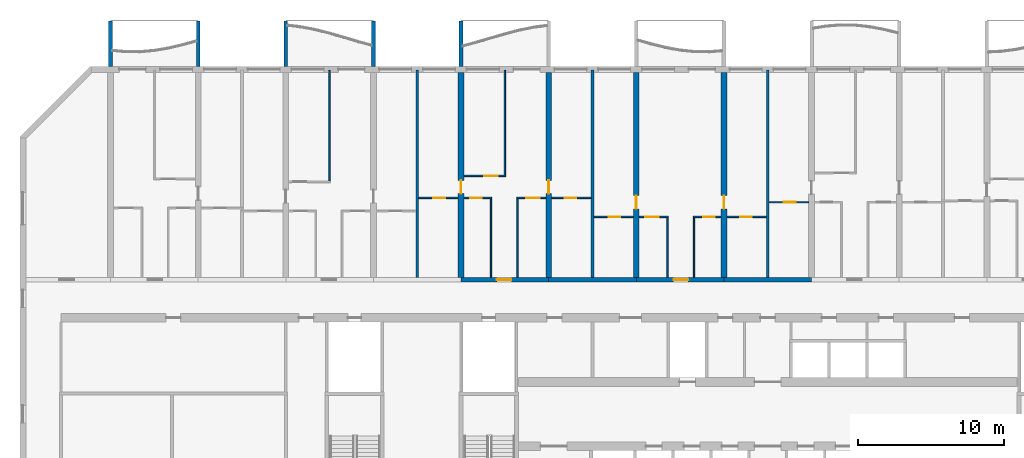
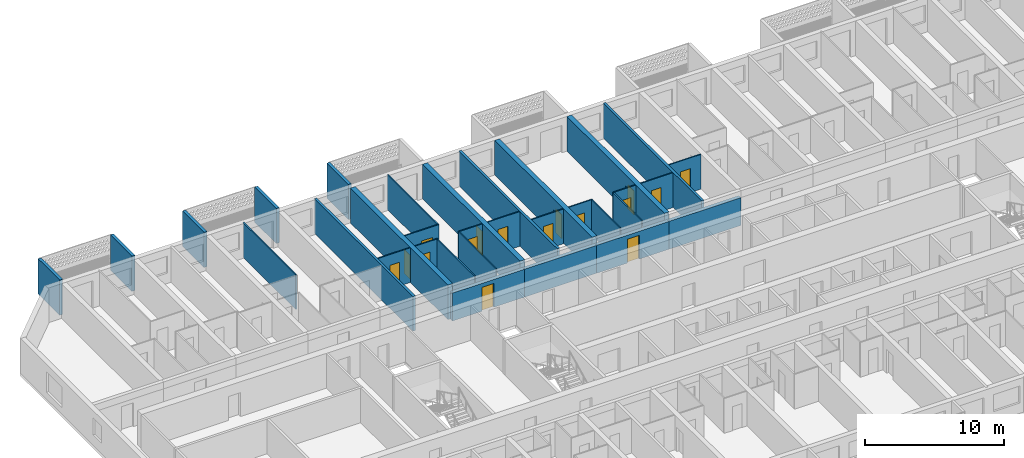
# One storey, part 11 of 38: 32 walls, 16 doors, 16 openings.
"""IFC4 building model written with IfcOpenShell, lengths in metres."""

from ifc_helpers import new_model, si_unit, direction, frame, frame_2d, origin, place, context, subcontext, project, spatial, polyline, rectangle, outline, extrude, source, transform, mapped, material, layer, layer_set, type_object, element, fill, save


model = new_model("IFC4")

# Units and contexts
model_context = context("Model", 3, precision=1e-05, world=origin(), true_north=direction((0.0, 1.0)))
body_context = subcontext(model_context, "Body", "Model", "MODEL_VIEW")
ifc_project = project(units=[si_unit("LENGTHUNIT", "METRE"), si_unit("AREAUNIT", "SQUARE_METRE"), si_unit("VOLUMEUNIT", "CUBIC_METRE"), si_unit("PLANEANGLEUNIT", "RADIAN"), si_unit("MASSUNIT", "GRAM", prefix="KILO")], contexts=[model_context])

# Site, building, storey
site_placement = place(None, origin())
site = spatial("IfcSite", under=ifc_project, at=site_placement, CompositionType="ELEMENT")
building_placement = place(site_placement, origin())
building = spatial("IfcBuilding", under=site, at=building_placement, Name="Poui Terraces", CompositionType="ELEMENT")
storey_placement = place(building_placement, frame((0.0, 0.0, 46.5)))
storey = spatial("IfcBuildingStorey", under=building, at=storey_placement, Name="L12", CompositionType="ELEMENT", Elevation=46.5)

# Wall, opening, door
ifc_material_1 = material(Name="Concrete 80 MPa", Category="concrete")
ifc_layer_1 = layer(ifc_material_1, 0.300048828125)
ifc_layer_set_1 = layer_set([ifc_layer_1], Name="Concrete 80 MPa")
wall_type_1 = type_object("IfcWallType", Name="CORRIDOR WALL 300 80MPa", PredefinedType="SHEAR", material=ifc_layer_set_1)
wall_1_placement = place(storey_placement, frame((30.0, 30.39990234375, 0.0), z_axis=(0.0, 0.0, 1.0), x_axis=(1.0, 0.0, 0.0)))
wall_1 = element("IfcWall", 1, at=wall_1_placement, inside=storey, type_object=wall_type_1, Name="CORRIDOR WALL LINE E BAY 6", PredefinedType="SHEAR", context=body_context, shape_type="SweptSolid", body=[
    extrude(rectangle(XDim=6.0, YDim=0.300048828125, at=frame_2d((3.0, 0.0))), origin(), (0.0, 0.0, 1.0), 2.449951171875),
])
opening_1_placement = place(wall_1_placement, frame((2.449951171875, 0.0, 0.0)))
opening_1 = element("IfcOpeningElement", 2, at=opening_1_placement, cuts=wall_1, Name="Opening FD30S", PredefinedType="OPENING", context=body_context, shape_type="SweptSolid", body=[
    extrude(rectangle(XDim=1.0, YDim=2.10009765625, at=frame_2d((0.5, 1.050048828125))), frame((0.0, 0.16015625, 0.0), z_axis=(0.0, -1.0, 0.0), x_axis=(1.0, 0.0, 0.0)), (0.0, 0.0, 1.0), 0.320068359375),
])
ifc_material_2 = material(Name="Steel fire door", Category="steel")
door_type_1 = type_object("IfcDoorType", Name="FLAT ENTRANCE DOOR 1000 X 2100", OperationType="NOTDEFINED", PredefinedType="DOOR", material=ifc_material_2)
door_1_placement = place(opening_1_placement, origin())
door_1 = element("IfcDoor", 3, at=door_1_placement, inside=storey, type_object=door_type_1, Name="FLAT ENTRANCE DOOR 051", OperationType="SINGLE_SWING_LEFT", OverallHeight=2.10009765625, OverallWidth=1.0, PredefinedType="DOOR", context=body_context, shape_type="SweptSolid", body=[
    extrude(rectangle(XDim=1.0, YDim=2.10009765625, at=frame_2d((0.5, 1.050048828125))), frame((0.0, 0.02490234375, 0.0), z_axis=(0.0, -1.0, 0.0), x_axis=(1.0, 0.0, 0.0)), (0.0, 0.0, 1.0), 0.050048828125),
])
fill(opening_1, door_1)

# Wall
wall_2_placement = place(storey_placement, frame((36.0, 30.39990234375, 0.0), z_axis=(0.0, 0.0, 1.0), x_axis=(1.0, 0.0, 0.0)))
element("IfcWall", 4, at=wall_2_placement, inside=storey, type_object=wall_type_1, Name="CORRIDOR WALL LINE E BAY 7", PredefinedType="SHEAR", context=body_context, shape_type="SweptSolid", body=[
    extrude(rectangle(XDim=6.0, YDim=0.300048828125, at=frame_2d((3.0, 0.0))), origin(), (0.0, 0.0, 1.0), 2.449951171875),
])

# Wall, opening, door
wall_3_placement = place(storey_placement, frame((42.0, 30.39990234375, 0.0), z_axis=(0.0, 0.0, 1.0), x_axis=(1.0, 0.0, 0.0)))
wall_3 = element("IfcWall", 5, at=wall_3_placement, inside=storey, type_object=wall_type_1, Name="CORRIDOR WALL LINE E BAY 8", PredefinedType="SHEAR", context=body_context, shape_type="SweptSolid", body=[
    extrude(rectangle(XDim=6.0, YDim=0.300048828125, at=frame_2d((3.0, 0.0))), origin(), (0.0, 0.0, 1.0), 2.449951171875),
])
opening_2_placement = place(wall_3_placement, frame((2.550048828125, 0.0, 0.0)))
opening_2 = element("IfcOpeningElement", 6, at=opening_2_placement, cuts=wall_3, Name="Opening FD30S", PredefinedType="OPENING", context=body_context, shape_type="SweptSolid", body=[
    extrude(rectangle(XDim=1.0, YDim=2.10009765625, at=frame_2d((0.5, 1.050048828125))), frame((0.0, 0.16015625, 0.0), z_axis=(0.0, -1.0, 0.0), x_axis=(1.0, 0.0, 0.0)), (0.0, 0.0, 1.0), 0.320068359375),
])
door_2_placement = place(opening_2_placement, origin())
door_2 = element("IfcDoor", 7, at=door_2_placement, inside=storey, type_object=door_type_1, Name="FLAT ENTRANCE DOOR 058", OperationType="SINGLE_SWING_RIGHT", OverallHeight=2.10009765625, OverallWidth=1.0, PredefinedType="DOOR", context=body_context, shape_type="SweptSolid", body=[
    extrude(rectangle(XDim=1.0, YDim=2.10009765625, at=frame_2d((0.5, 1.050048828125))), frame((0.0, 0.02490234375, 0.0), z_axis=(0.0, -1.0, 0.0), x_axis=(1.0, 0.0, 0.0)), (0.0, 0.0, 1.0), 0.050048828125),
])
fill(opening_2, door_2)

# Wall
wall_4_placement = place(storey_placement, frame((48.0, 30.39990234375, 0.0), z_axis=(0.0, 0.0, 1.0), x_axis=(1.0, 0.0, 0.0)))
element("IfcWall", 8, at=wall_4_placement, inside=storey, type_object=wall_type_1, Name="CORRIDOR WALL LINE E BAY 9", PredefinedType="SHEAR", context=body_context, shape_type="SweptSolid", body=[
    extrude(rectangle(XDim=6.0, YDim=0.300048828125, at=frame_2d((3.0, 0.0))), origin(), (0.0, 0.0, 1.0), 2.449951171875),
])

# Wall, opening, door
ifc_layer_2 = layer(ifc_material_1, 0.39990234375)
ifc_layer_set_2 = layer_set([ifc_layer_2], Name="Concrete 80 MPa")
wall_type_2 = type_object("IfcWallType", Name="CROSS WALL 400 80MPa", PredefinedType="SHEAR", material=ifc_layer_set_2)
wall_5_placement = place(storey_placement, frame((30.0, 30.550048828125, 0.0), z_axis=(0.0, 0.0, 1.0), x_axis=(0.0, 1.0, 0.0)))
wall_5 = element("IfcWall", 9, at=wall_5_placement, inside=storey, type_object=wall_type_2, Name="CROSS WALL LINE 6 NORTH", PredefinedType="SHEAR", context=body_context, shape_type="SweptSolid", body=[
    extrude(rectangle(XDim=14.050048828125, YDim=0.39990234375, at=frame_2d((7.02490234375, 0.0))), origin(), (0.0, 0.0, 1.0), 3.050048828125),
])
opening_3_placement = place(wall_5_placement, frame((5.75, 0.0, 0.0)))
opening_3 = element("IfcOpeningElement", 10, at=opening_3_placement, cuts=wall_5, Name="Opening D90", PredefinedType="OPENING", context=body_context, shape_type="SweptSolid", body=[
    extrude(rectangle(XDim=0.89990234375, YDim=2.10009765625, at=frame_2d((0.449951171875, 1.050048828125))), frame((0.0, 0.2099609375, 0.0), z_axis=(0.0, -1.0, 0.0), x_axis=(1.0, 0.0, 0.0)), (0.0, 0.0, 1.0), 0.419921875),
])
ifc_material_3 = material(Name="Solid core timber door", Category="wood")
door_type_2 = type_object("IfcDoorType", Name="INTERNAL DOOR 900 X 2100", OperationType="NOTDEFINED", PredefinedType="DOOR", material=ifc_material_3)
door_3_placement = place(opening_3_placement, origin())
door_3 = element("IfcDoor", 11, at=door_3_placement, inside=storey, type_object=door_type_2, Name="INTERNAL DOOR 048", OperationType="SINGLE_SWING_LEFT", OverallHeight=2.10009765625, OverallWidth=0.89990234375, PredefinedType="DOOR", context=body_context, shape_type="SweptSolid", body=[
    extrude(rectangle(XDim=0.89990234375, YDim=2.10009765625, at=frame_2d((0.449951171875, 1.050048828125))), frame((0.0, 0.02490234375, 0.0), z_axis=(0.0, -1.0, 0.0), x_axis=(1.0, 0.0, 0.0)), (0.0, 0.0, 1.0), 0.050048828125),
])
fill(opening_3, door_3)

wall_6_placement = place(storey_placement, frame((36.0, 30.550048828125, 0.0), z_axis=(0.0, 0.0, 1.0), x_axis=(0.0, 1.0, 0.0)))
wall_6 = element("IfcWall", 12, at=wall_6_placement, inside=storey, type_object=wall_type_2, Name="CROSS WALL LINE 7 NORTH", PredefinedType="SHEAR", context=body_context, shape_type="SweptSolid", body=[
    extrude(rectangle(XDim=14.050048828125, YDim=0.39990234375, at=frame_2d((7.02490234375, 0.0))), origin(), (0.0, 0.0, 1.0), 3.050048828125),
])
opening_4_placement = place(wall_6_placement, frame((5.75, 0.0, 0.0)))
opening_4 = element("IfcOpeningElement", 13, at=opening_4_placement, cuts=wall_6, Name="Opening D90", PredefinedType="OPENING", context=body_context, shape_type="SweptSolid", body=[
    extrude(rectangle(XDim=0.89990234375, YDim=2.10009765625, at=frame_2d((0.449951171875, 1.050048828125))), frame((0.0, 0.2099609375, 0.0), z_axis=(0.0, -1.0, 0.0), x_axis=(1.0, 0.0, 0.0)), (0.0, 0.0, 1.0), 0.419921875),
])
door_4_placement = place(opening_4_placement, frame((0.89990234375, 0.0, 0.0), z_axis=(0.0, 0.0, 1.0), x_axis=(-1.0, 0.0, 0.0)))
door_4 = element("IfcDoor", 14, at=door_4_placement, inside=storey, type_object=door_type_2, Name="INTERNAL DOOR 053", OperationType="SINGLE_SWING_RIGHT", OverallHeight=2.10009765625, OverallWidth=0.89990234375, PredefinedType="DOOR", context=body_context, shape_type="SweptSolid", body=[
    extrude(rectangle(XDim=0.89990234375, YDim=2.10009765625, at=frame_2d((0.449951171875, 1.050048828125))), frame((0.0, 0.02490234375, 0.0), z_axis=(0.0, -1.0, 0.0), x_axis=(1.0, 0.0, 0.0)), (0.0, 0.0, 1.0), 0.050048828125),
])
fill(opening_4, door_4)

wall_7_placement = place(storey_placement, frame((42.0, 30.550048828125, 0.0), z_axis=(0.0, 0.0, 1.0), x_axis=(0.0, 1.0, 0.0)))
wall_7 = element("IfcWall", 15, at=wall_7_placement, inside=storey, type_object=wall_type_2, Name="CROSS WALL LINE 8 NORTH", PredefinedType="SHEAR", context=body_context, shape_type="SweptSolid", body=[
    extrude(rectangle(XDim=14.050048828125, YDim=0.39990234375, at=frame_2d((7.02490234375, 0.0))), origin(), (0.0, 0.0, 1.0), 3.050048828125),
])
opening_5_placement = place(wall_7_placement, frame((4.699951171875, 0.0, 0.0)))
opening_5 = element("IfcOpeningElement", 16, at=opening_5_placement, cuts=wall_7, Name="Opening D90", PredefinedType="OPENING", context=body_context, shape_type="SweptSolid", body=[
    extrude(rectangle(XDim=0.89990234375, YDim=2.10009765625, at=frame_2d((0.449951171875, 1.050048828125))), frame((0.0, 0.2099609375, 0.0), z_axis=(0.0, -1.0, 0.0), x_axis=(1.0, 0.0, 0.0)), (0.0, 0.0, 1.0), 0.419921875),
])
door_5_placement = place(opening_5_placement, origin())
door_5 = element("IfcDoor", 17, at=door_5_placement, inside=storey, type_object=door_type_2, Name="INTERNAL DOOR 056", OperationType="SINGLE_SWING_LEFT", OverallHeight=2.10009765625, OverallWidth=0.89990234375, PredefinedType="DOOR", context=body_context, shape_type="SweptSolid", body=[
    extrude(rectangle(XDim=0.89990234375, YDim=2.10009765625, at=frame_2d((0.449951171875, 1.050048828125))), frame((0.0, 0.02490234375, 0.0), z_axis=(0.0, -1.0, 0.0), x_axis=(1.0, 0.0, 0.0)), (0.0, 0.0, 1.0), 0.050048828125),
])
fill(opening_5, door_5)

wall_8_placement = place(storey_placement, frame((48.0, 30.550048828125, 0.0), z_axis=(0.0, 0.0, 1.0), x_axis=(0.0, 1.0, 0.0)))
wall_8 = element("IfcWall", 18, at=wall_8_placement, inside=storey, type_object=wall_type_2, Name="CROSS WALL LINE 9 NORTH", PredefinedType="SHEAR", context=body_context, shape_type="SweptSolid", body=[
    extrude(rectangle(XDim=14.050048828125, YDim=0.39990234375, at=frame_2d((7.02490234375, 0.0))), origin(), (0.0, 0.0, 1.0), 3.050048828125),
])
opening_6_placement = place(wall_8_placement, frame((4.699951171875, 0.0, 0.0)))
opening_6 = element("IfcOpeningElement", 19, at=opening_6_placement, cuts=wall_8, Name="Opening D90", PredefinedType="OPENING", context=body_context, shape_type="SweptSolid", body=[
    extrude(rectangle(XDim=0.89990234375, YDim=2.10009765625, at=frame_2d((0.449951171875, 1.050048828125))), frame((0.0, 0.2099609375, 0.0), z_axis=(0.0, -1.0, 0.0), x_axis=(1.0, 0.0, 0.0)), (0.0, 0.0, 1.0), 0.419921875),
])
door_6_placement = place(opening_6_placement, frame((0.89990234375, 0.0, 0.0), z_axis=(0.0, 0.0, 1.0), x_axis=(-1.0, 0.0, 0.0)))
door_6 = element("IfcDoor", 20, at=door_6_placement, inside=storey, type_object=door_type_2, Name="INTERNAL DOOR 060", OperationType="SINGLE_SWING_RIGHT", OverallHeight=2.10009765625, OverallWidth=0.89990234375, PredefinedType="DOOR", context=body_context, shape_type="SweptSolid", body=[
    extrude(rectangle(XDim=0.89990234375, YDim=2.10009765625, at=frame_2d((0.449951171875, 1.050048828125))), frame((0.0, 0.02490234375, 0.0), z_axis=(0.0, -1.0, 0.0), x_axis=(1.0, 0.0, 0.0)), (0.0, 0.0, 1.0), 0.050048828125),
])
fill(opening_6, door_6)

ifc_material_4 = material(Name="Plasterboard partition")
ifc_layer_3 = layer(ifc_material_4, 0.10009765625)
ifc_layer_set_3 = layer_set([ifc_layer_3], Name="Plasterboard partition")
wall_type_3 = type_object("IfcWallType", Name="FLAT PARTITION 100", PredefinedType="PARTITIONING", material=ifc_layer_set_3)
wall_9_placement = place(storey_placement, frame((39.10009765625, 34.699951171875, 0.0), z_axis=(0.0, 0.0, 1.0), x_axis=(1.0, 0.0, 0.0)))
wall_9 = element("IfcWall", 21, at=wall_9_placement, inside=storey, type_object=wall_type_3, Name="FLAT PARTITION 100", PredefinedType="PARTITIONING", context=body_context, shape_type="SweptSolid", body=[
    extrude(rectangle(XDim=2.68994140625, YDim=0.10009765625, at=frame_2d((1.344970703125, 0.0))), origin(), (0.0, 0.0, 1.0), 3.050048828125),
])
opening_7_placement = place(wall_9_placement, frame((1.0, 0.0, 0.0)))
opening_7 = element("IfcOpeningElement", 22, at=opening_7_placement, cuts=wall_9, Name="Opening D80", PredefinedType="OPENING", context=body_context, shape_type="SweptSolid", body=[
    extrude(rectangle(XDim=0.800048828125, YDim=2.10009765625, at=frame_2d((0.39990234375, 1.050048828125))), frame((0.0, 0.06005859375, 0.0), z_axis=(0.0, -1.0, 0.0), x_axis=(1.0, 0.0, 0.0)), (0.0, 0.0, 1.0), 0.1201171875),
])
door_type_3 = type_object("IfcDoorType", Name="BATHROOM, LAUNDRY AND STORE DOOR 800 X 2100", OperationType="NOTDEFINED", PredefinedType="DOOR", material=ifc_material_3)
door_7_placement = place(opening_7_placement, frame((0.800048828125, 0.0, 0.0), z_axis=(0.0, 0.0, 1.0), x_axis=(-1.0, 0.0, 0.0)))
door_7 = element("IfcDoor", 23, at=door_7_placement, inside=storey, type_object=door_type_3, Name="BATHROOM, LAUNDRY AND STORE DOOR 054", OperationType="SINGLE_SWING_RIGHT", OverallHeight=2.10009765625, OverallWidth=0.800048828125, PredefinedType="DOOR", context=body_context, shape_type="SweptSolid", body=[
    extrude(rectangle(XDim=0.800048828125, YDim=2.10009765625, at=frame_2d((0.39990234375, 1.050048828125))), frame((0.0, 0.02490234375, 0.0), z_axis=(0.0, -1.0, 0.0), x_axis=(1.0, 0.0, 0.0)), (0.0, 0.0, 1.0), 0.050048828125),
])
fill(opening_7, door_7)

wall_10_placement = place(storey_placement, frame((42.2099609375, 34.699951171875, 0.0), z_axis=(0.0, 0.0, 1.0), x_axis=(1.0, 0.0, 0.0)))
wall_10 = element("IfcWall", 24, at=wall_10_placement, inside=storey, type_object=wall_type_3, Name="FLAT PARTITION 100", PredefinedType="PARTITIONING", context=body_context, shape_type="SweptSolid", body=[
    extrude(rectangle(XDim=1.989990234375, YDim=0.10009765625, at=frame_2d((0.9951171875, 0.0))), origin(), (0.0, 0.0, 1.0), 3.050048828125),
])
opening_8_placement = place(wall_10_placement, frame((0.4150390625, 0.0, 0.0)))
opening_8 = element("IfcOpeningElement", 25, at=opening_8_placement, cuts=wall_10, Name="Opening D90", PredefinedType="OPENING", context=body_context, shape_type="SweptSolid", body=[
    extrude(rectangle(XDim=0.89990234375, YDim=2.10009765625, at=frame_2d((0.449951171875, 1.050048828125))), frame((0.0, 0.06005859375, 0.0), z_axis=(0.0, -1.0, 0.0), x_axis=(1.0, 0.0, 0.0)), (0.0, 0.0, 1.0), 0.1201171875),
])
door_8_placement = place(opening_8_placement, frame((0.89990234375, 0.0, 0.0), z_axis=(0.0, 0.0, 1.0), x_axis=(-1.0, 0.0, 0.0)))
door_8 = element("IfcDoor", 26, at=door_8_placement, inside=storey, type_object=door_type_2, Name="INTERNAL DOOR 057", OperationType="SINGLE_SWING_LEFT", OverallHeight=2.10009765625, OverallWidth=0.89990234375, PredefinedType="DOOR", context=body_context, shape_type="SweptSolid", body=[
    extrude(rectangle(XDim=0.89990234375, YDim=2.10009765625, at=frame_2d((0.449951171875, 1.050048828125))), frame((0.0, 0.02490234375, 0.0), z_axis=(0.0, -1.0, 0.0), x_axis=(1.0, 0.0, 0.0)), (0.0, 0.0, 1.0), 0.050048828125),
])
fill(opening_8, door_8)

wall_11_placement = place(storey_placement, frame((45.89990234375, 34.699951171875, 0.0), z_axis=(0.0, 0.0, 1.0), x_axis=(1.0, 0.0, 0.0)))
wall_11 = element("IfcWall", 27, at=wall_11_placement, inside=storey, type_object=wall_type_3, Name="FLAT PARTITION 100", PredefinedType="PARTITIONING", context=body_context, shape_type="SweptSolid", body=[
    extrude(rectangle(XDim=1.89013671875, YDim=0.10009765625, at=frame_2d((0.945068359375, 0.0))), origin(), (0.0, 0.0, 1.0), 3.050048828125),
])
opening_9_placement = place(wall_11_placement, frame((0.675048828125, 0.0, 0.0)))
opening_9 = element("IfcOpeningElement", 28, at=opening_9_placement, cuts=wall_11, Name="Opening D80", PredefinedType="OPENING", context=body_context, shape_type="SweptSolid", body=[
    extrude(rectangle(XDim=0.800048828125, YDim=2.10009765625, at=frame_2d((0.39990234375, 1.050048828125))), frame((0.0, 0.06005859375, 0.0), z_axis=(0.0, -1.0, 0.0), x_axis=(1.0, 0.0, 0.0)), (0.0, 0.0, 1.0), 0.1201171875),
])
door_9_placement = place(opening_9_placement, frame((0.800048828125, 0.0, 0.0), z_axis=(0.0, 0.0, 1.0), x_axis=(-1.0, 0.0, 0.0)))
door_9 = element("IfcDoor", 29, at=door_9_placement, inside=storey, type_object=door_type_3, Name="BATHROOM, LAUNDRY AND STORE DOOR 059", OperationType="SINGLE_SWING_RIGHT", OverallHeight=2.10009765625, OverallWidth=0.800048828125, PredefinedType="DOOR", context=body_context, shape_type="SweptSolid", body=[
    extrude(rectangle(XDim=0.800048828125, YDim=2.10009765625, at=frame_2d((0.39990234375, 1.050048828125))), frame((0.0, 0.02490234375, 0.0), z_axis=(0.0, -1.0, 0.0), x_axis=(1.0, 0.0, 0.0)), (0.0, 0.0, 1.0), 0.050048828125),
])
fill(opening_9, door_9)

wall_12_placement = place(storey_placement, frame((48.2099609375, 34.699951171875, 0.0), z_axis=(0.0, 0.0, 1.0), x_axis=(1.0, 0.0, 0.0)))
wall_12 = element("IfcWall", 30, at=wall_12_placement, inside=storey, type_object=wall_type_3, Name="FLAT PARTITION 100", PredefinedType="PARTITIONING", context=body_context, shape_type="SweptSolid", body=[
    extrude(rectangle(XDim=2.68994140625, YDim=0.10009765625, at=frame_2d((1.344970703125, 0.0))), origin(), (0.0, 0.0, 1.0), 3.050048828125),
])
opening_10_placement = place(wall_12_placement, frame((0.889892578125, 0.0, 0.0)))
opening_10 = element("IfcOpeningElement", 31, at=opening_10_placement, cuts=wall_12, Name="Opening D80", PredefinedType="OPENING", context=body_context, shape_type="SweptSolid", body=[
    extrude(rectangle(XDim=0.800048828125, YDim=2.10009765625, at=frame_2d((0.39990234375, 1.050048828125))), frame((0.0, 0.06005859375, 0.0), z_axis=(0.0, -1.0, 0.0), x_axis=(1.0, 0.0, 0.0)), (0.0, 0.0, 1.0), 0.1201171875),
])
door_10_placement = place(opening_10_placement, frame((0.800048828125, 0.0, 0.0), z_axis=(0.0, 0.0, 1.0), x_axis=(-1.0, 0.0, 0.0)))
door_10 = element("IfcDoor", 32, at=door_10_placement, inside=storey, type_object=door_type_3, Name="BATHROOM, LAUNDRY AND STORE DOOR 055", OperationType="SINGLE_SWING_RIGHT", OverallHeight=2.10009765625, OverallWidth=0.800048828125, PredefinedType="DOOR", context=body_context, shape_type="SweptSolid", body=[
    extrude(rectangle(XDim=0.800048828125, YDim=2.10009765625, at=frame_2d((0.39990234375, 1.050048828125))), frame((0.0, 0.02490234375, 0.0), z_axis=(0.0, -1.0, 0.0), x_axis=(1.0, 0.0, 0.0)), (0.0, 0.0, 1.0), 0.050048828125),
])
fill(opening_10, door_10)

wall_13_placement = place(storey_placement, frame((51.10009765625, 35.699951171875, 0.0), z_axis=(0.0, 0.0, 1.0), x_axis=(1.0, 0.0, 0.0)))
wall_13 = element("IfcWall", 33, at=wall_13_placement, inside=storey, type_object=wall_type_3, Name="FLAT PARTITION 100", PredefinedType="PARTITIONING", context=body_context, shape_type="SweptSolid", body=[
    extrude(rectangle(XDim=2.68994140625, YDim=0.10009765625, at=frame_2d((1.344970703125, 0.0))), origin(), (0.0, 0.0, 1.0), 3.050048828125),
])
opening_11_placement = place(wall_13_placement, frame((1.0, 0.0, 0.0)))
opening_11 = element("IfcOpeningElement", 34, at=opening_11_placement, cuts=wall_13, Name="Opening D80", PredefinedType="OPENING", context=body_context, shape_type="SweptSolid", body=[
    extrude(rectangle(XDim=0.800048828125, YDim=2.10009765625, at=frame_2d((0.39990234375, 1.050048828125))), frame((0.0, 0.06005859375, 0.0), z_axis=(0.0, -1.0, 0.0), x_axis=(1.0, 0.0, 0.0)), (0.0, 0.0, 1.0), 0.1201171875),
])
door_11_placement = place(opening_11_placement, frame((0.800048828125, 0.0, 0.0), z_axis=(0.0, 0.0, 1.0), x_axis=(-1.0, 0.0, 0.0)))
door_11 = element("IfcDoor", 35, at=door_11_placement, inside=storey, type_object=door_type_3, Name="BATHROOM, LAUNDRY AND STORE DOOR 061", OperationType="SINGLE_SWING_LEFT", OverallHeight=2.10009765625, OverallWidth=0.800048828125, PredefinedType="DOOR", context=body_context, shape_type="SweptSolid", body=[
    extrude(rectangle(XDim=0.800048828125, YDim=2.10009765625, at=frame_2d((0.39990234375, 1.050048828125))), frame((0.0, 0.02490234375, 0.0), z_axis=(0.0, -1.0, 0.0), x_axis=(1.0, 0.0, 0.0)), (0.0, 0.0, 1.0), 0.050048828125),
])
fill(opening_11, door_11)

wall_14_placement = place(storey_placement, frame((27.10009765625, 36.0, 0.0), z_axis=(0.0, 0.0, 1.0), x_axis=(1.0, 0.0, 0.0)))
wall_14 = element("IfcWall", 36, at=wall_14_placement, inside=storey, type_object=wall_type_3, Name="FLAT PARTITION 100", PredefinedType="PARTITIONING", context=body_context, shape_type="SweptSolid", body=[
    extrude(rectangle(XDim=2.68994140625, YDim=0.10009765625, at=frame_2d((1.344970703125, 0.0))), origin(), (0.0, 0.0, 1.0), 3.050048828125),
])
opening_12_placement = place(wall_14_placement, frame((1.0, 0.0, 0.0)))
opening_12 = element("IfcOpeningElement", 37, at=opening_12_placement, cuts=wall_14, Name="Opening D80", PredefinedType="OPENING", context=body_context, shape_type="SweptSolid", body=[
    extrude(rectangle(XDim=0.800048828125, YDim=2.10009765625, at=frame_2d((0.39990234375, 1.050048828125))), frame((0.0, 0.06005859375, 0.0), z_axis=(0.0, -1.0, 0.0), x_axis=(1.0, 0.0, 0.0)), (0.0, 0.0, 1.0), 0.1201171875),
])
door_12_placement = place(opening_12_placement, frame((0.800048828125, 0.0, 0.0), z_axis=(0.0, 0.0, 1.0), x_axis=(-1.0, 0.0, 0.0)))
door_12 = element("IfcDoor", 38, at=door_12_placement, inside=storey, type_object=door_type_3, Name="BATHROOM, LAUNDRY AND STORE DOOR 046", OperationType="SINGLE_SWING_LEFT", OverallHeight=2.10009765625, OverallWidth=0.800048828125, PredefinedType="DOOR", context=body_context, shape_type="SweptSolid", body=[
    extrude(rectangle(XDim=0.800048828125, YDim=2.10009765625, at=frame_2d((0.39990234375, 1.050048828125))), frame((0.0, 0.02490234375, 0.0), z_axis=(0.0, -1.0, 0.0), x_axis=(1.0, 0.0, 0.0)), (0.0, 0.0, 1.0), 0.050048828125),
])
fill(opening_12, door_12)

wall_15_placement = place(storey_placement, frame((30.2099609375, 36.0, 0.0), z_axis=(0.0, 0.0, 1.0), x_axis=(1.0, 0.0, 0.0)))
wall_15 = element("IfcWall", 39, at=wall_15_placement, inside=storey, type_object=wall_type_3, Name="FLAT PARTITION 100", PredefinedType="PARTITIONING", context=body_context, shape_type="SweptSolid", body=[
    extrude(rectangle(XDim=1.89013671875, YDim=0.10009765625, at=frame_2d((0.945068359375, 0.0))), origin(), (0.0, 0.0, 1.0), 3.050048828125),
])
opening_13_placement = place(wall_15_placement, frame((0.4150390625, 0.0, 0.0)))
opening_13 = element("IfcOpeningElement", 40, at=opening_13_placement, cuts=wall_15, Name="Opening D80", PredefinedType="OPENING", context=body_context, shape_type="SweptSolid", body=[
    extrude(rectangle(XDim=0.800048828125, YDim=2.10009765625, at=frame_2d((0.39990234375, 1.050048828125))), frame((0.0, 0.06005859375, 0.0), z_axis=(0.0, -1.0, 0.0), x_axis=(1.0, 0.0, 0.0)), (0.0, 0.0, 1.0), 0.1201171875),
])
door_13_placement = place(opening_13_placement, frame((0.800048828125, 0.0, 0.0), z_axis=(0.0, 0.0, 1.0), x_axis=(-1.0, 0.0, 0.0)))
door_13 = element("IfcDoor", 41, at=door_13_placement, inside=storey, type_object=door_type_3, Name="BATHROOM, LAUNDRY AND STORE DOOR 049", OperationType="SINGLE_SWING_LEFT", OverallHeight=2.10009765625, OverallWidth=0.800048828125, PredefinedType="DOOR", context=body_context, shape_type="SweptSolid", body=[
    extrude(rectangle(XDim=0.800048828125, YDim=2.10009765625, at=frame_2d((0.39990234375, 1.050048828125))), frame((0.0, 0.02490234375, 0.0), z_axis=(0.0, -1.0, 0.0), x_axis=(1.0, 0.0, 0.0)), (0.0, 0.0, 1.0), 0.050048828125),
])
fill(opening_13, door_13)

wall_16_placement = place(storey_placement, frame((33.800048828125, 36.0, 0.0), z_axis=(0.0, 0.0, 1.0), x_axis=(1.0, 0.0, 0.0)))
wall_16 = element("IfcWall", 42, at=wall_16_placement, inside=storey, type_object=wall_type_3, Name="FLAT PARTITION 100", PredefinedType="PARTITIONING", context=body_context, shape_type="SweptSolid", body=[
    extrude(rectangle(XDim=1.989990234375, YDim=0.10009765625, at=frame_2d((0.9951171875, 0.0))), origin(), (0.0, 0.0, 1.0), 3.050048828125),
])
opening_14_placement = place(wall_16_placement, frame((0.675048828125, 0.0, 0.0)))
opening_14 = element("IfcOpeningElement", 43, at=opening_14_placement, cuts=wall_16, Name="Opening D90", PredefinedType="OPENING", context=body_context, shape_type="SweptSolid", body=[
    extrude(rectangle(XDim=0.89990234375, YDim=2.10009765625, at=frame_2d((0.449951171875, 1.050048828125))), frame((0.0, 0.06005859375, 0.0), z_axis=(0.0, -1.0, 0.0), x_axis=(1.0, 0.0, 0.0)), (0.0, 0.0, 1.0), 0.1201171875),
])
door_14_placement = place(opening_14_placement, frame((0.89990234375, 0.0, 0.0), z_axis=(0.0, 0.0, 1.0), x_axis=(-1.0, 0.0, 0.0)))
door_14 = element("IfcDoor", 44, at=door_14_placement, inside=storey, type_object=door_type_2, Name="INTERNAL DOOR 052", OperationType="SINGLE_SWING_RIGHT", OverallHeight=2.10009765625, OverallWidth=0.89990234375, PredefinedType="DOOR", context=body_context, shape_type="SweptSolid", body=[
    extrude(rectangle(XDim=0.89990234375, YDim=2.10009765625, at=frame_2d((0.449951171875, 1.050048828125))), frame((0.0, 0.02490234375, 0.0), z_axis=(0.0, -1.0, 0.0), x_axis=(1.0, 0.0, 0.0)), (0.0, 0.0, 1.0), 0.050048828125),
])
fill(opening_14, door_14)

wall_17_placement = place(storey_placement, frame((36.2099609375, 36.0, 0.0), z_axis=(0.0, 0.0, 1.0), x_axis=(1.0, 0.0, 0.0)))
wall_17 = element("IfcWall", 45, at=wall_17_placement, inside=storey, type_object=wall_type_3, Name="FLAT PARTITION 100", PredefinedType="PARTITIONING", context=body_context, shape_type="SweptSolid", body=[
    extrude(rectangle(XDim=2.68994140625, YDim=0.10009765625, at=frame_2d((1.344970703125, 0.0))), origin(), (0.0, 0.0, 1.0), 3.050048828125),
])
opening_15_placement = place(wall_17_placement, frame((0.889892578125, 0.0, 0.0)))
opening_15 = element("IfcOpeningElement", 46, at=opening_15_placement, cuts=wall_17, Name="Opening D80", PredefinedType="OPENING", context=body_context, shape_type="SweptSolid", body=[
    extrude(rectangle(XDim=0.800048828125, YDim=2.10009765625, at=frame_2d((0.39990234375, 1.050048828125))), frame((0.0, 0.06005859375, 0.0), z_axis=(0.0, -1.0, 0.0), x_axis=(1.0, 0.0, 0.0)), (0.0, 0.0, 1.0), 0.1201171875),
])
door_15_placement = place(opening_15_placement, frame((0.800048828125, 0.0, 0.0), z_axis=(0.0, 0.0, 1.0), x_axis=(-1.0, 0.0, 0.0)))
door_15 = element("IfcDoor", 47, at=door_15_placement, inside=storey, type_object=door_type_3, Name="BATHROOM, LAUNDRY AND STORE DOOR 047", OperationType="SINGLE_SWING_LEFT", OverallHeight=2.10009765625, OverallWidth=0.800048828125, PredefinedType="DOOR", context=body_context, shape_type="SweptSolid", body=[
    extrude(rectangle(XDim=0.800048828125, YDim=2.10009765625, at=frame_2d((0.39990234375, 1.050048828125))), frame((0.0, 0.02490234375, 0.0), z_axis=(0.0, -1.0, 0.0), x_axis=(1.0, 0.0, 0.0)), (0.0, 0.0, 1.0), 0.050048828125),
])
fill(opening_15, door_15)

wall_18_placement = place(storey_placement, frame((30.2099609375, 37.5, 0.0), z_axis=(0.0, 0.0, 1.0), x_axis=(1.0, 0.0, 0.0)))
wall_18 = element("IfcWall", 48, at=wall_18_placement, inside=storey, type_object=wall_type_3, Name="FLAT PARTITION 100", PredefinedType="PARTITIONING", context=body_context, shape_type="SweptSolid", body=[
    extrude(rectangle(XDim=2.840087890625, YDim=0.10009765625, at=frame_2d((1.419921875, 0.0))), origin(), (0.0, 0.0, 1.0), 3.050048828125),
])
opening_16_placement = place(wall_18_placement, frame((1.389892578125, 0.0, 0.0)))
opening_16 = element("IfcOpeningElement", 49, at=opening_16_placement, cuts=wall_18, Name="Opening D90", PredefinedType="OPENING", context=body_context, shape_type="SweptSolid", body=[
    extrude(rectangle(XDim=0.89990234375, YDim=2.10009765625, at=frame_2d((0.449951171875, 1.050048828125))), frame((0.0, 0.06005859375, 0.0), z_axis=(0.0, -1.0, 0.0), x_axis=(1.0, 0.0, 0.0)), (0.0, 0.0, 1.0), 0.1201171875),
])
door_16_placement = place(opening_16_placement, frame((0.89990234375, 0.0, 0.0), z_axis=(0.0, 0.0, 1.0), x_axis=(-1.0, 0.0, 0.0)))
door_16 = element("IfcDoor", 50, at=door_16_placement, inside=storey, type_object=door_type_2, Name="INTERNAL DOOR 050", OperationType="SINGLE_SWING_RIGHT", OverallHeight=2.10009765625, OverallWidth=0.89990234375, PredefinedType="DOOR", context=body_context, shape_type="SweptSolid", body=[
    extrude(rectangle(XDim=0.89990234375, YDim=2.10009765625, at=frame_2d((0.449951171875, 1.050048828125))), frame((0.0, 0.02490234375, 0.0), z_axis=(0.0, -1.0, 0.0), x_axis=(1.0, 0.0, 0.0)), (0.0, 0.0, 1.0), 0.050048828125),
])
fill(opening_16, door_16)

# Walls
wall_19_placement = place(storey_placement, frame((21.0, 37.14990234375, 0.0), z_axis=(0.0, 0.0, 1.0), x_axis=(0.0, 1.0, 0.0)))
element("IfcWall", 51, at=wall_19_placement, inside=storey, type_object=wall_type_3, Name="FLAT PARTITION 100", PredefinedType="PARTITIONING", context=body_context, shape_type="SweptSolid", body=[
    extrude(rectangle(XDim=7.590087890625, YDim=0.10009765625, at=frame_2d((3.794921875, 0.0))), origin(), (0.0, 0.0, 1.0), 3.050048828125),
])
wall_20_placement = place(storey_placement, frame((32.050048828125, 30.56005859375, 0.0), z_axis=(0.0, 0.0, 1.0), x_axis=(0.0, 1.0, 0.0)))
element("IfcWall", 52, at=wall_20_placement, inside=storey, type_object=wall_type_3, Name="FLAT PARTITION 100", PredefinedType="PARTITIONING", context=body_context, shape_type="SweptSolid", body=[
    extrude(rectangle(XDim=5.389892578125, YDim=0.10009765625, at=frame_2d((2.69482421875, 0.0))), origin(), (0.0, 0.0, 1.0), 3.050048828125),
])
wall_21_placement = place(storey_placement, frame((33.0, 37.550048828125, 0.0), z_axis=(0.0, 0.0, 1.0), x_axis=(0.0, 1.0, 0.0)))
element("IfcWall", 53, at=wall_21_placement, inside=storey, type_object=wall_type_3, Name="FLAT PARTITION 100", PredefinedType="PARTITIONING", context=body_context, shape_type="SweptSolid", body=[
    extrude(rectangle(XDim=7.18994140625, YDim=0.10009765625, at=frame_2d((3.594970703125, 0.0))), origin(), (0.0, 0.0, 1.0), 3.050048828125),
])
wall_22_placement = place(storey_placement, frame((33.85009765625, 30.56005859375, 0.0), z_axis=(0.0, 0.0, 1.0), x_axis=(0.0, 1.0, 0.0)))
element("IfcWall", 54, at=wall_22_placement, inside=storey, type_object=wall_type_3, Name="FLAT PARTITION 100", PredefinedType="PARTITIONING", context=body_context, shape_type="SweptSolid", body=[
    extrude(rectangle(XDim=5.389892578125, YDim=0.10009765625, at=frame_2d((2.69482421875, 0.0))), origin(), (0.0, 0.0, 1.0), 3.050048828125),
])
for number, where, z_axis, x_axis, name in (
    (55, (44.14990234375, 30.56005859375, 0.0), (0.0, 0.0, 1.0), (0.0, 1.0, 0.0), "FLAT PARTITION 100"),
    (56, (45.949951171875, 30.56005859375, 0.0), (0.0, 0.0, 1.0), (0.0, 1.0, 0.0), "FLAT PARTITION 100"),
):
    element("IfcWall", number, at=place(storey_placement, frame(where, z_axis=z_axis, x_axis=x_axis)), inside=storey, type_object=wall_type_3, Name=name, PredefinedType="PARTITIONING", context=body_context, shape_type="SweptSolid", body=[
        extrude(rectangle(XDim=4.08984375, YDim=0.10009765625, at=frame_2d((2.044921875, 0.0))), origin(), (0.0, 0.0, 1.0), 3.050048828125),
    ])
ifc_material_5 = material(Name="Fire-rated masonry wall", Category="masonry")
ifc_layer_4 = layer(ifc_material_5, 0.199951171875)
ifc_layer_set_4 = layer_set([ifc_layer_4], Name="Fire-rated masonry wall")
wall_type_4 = type_object("IfcWallType", Name="FLAT PARTY WALL 200", PredefinedType="PARTITIONING", material=ifc_layer_set_4)
for number, where, z_axis, x_axis, name in (
    (57, (27.0, 30.56005859375, 0.0), (0.0, 0.0, 1.0), (0.0, 1.0, 0.0), "FLAT PARTY WALL 200"),
    (58, (39.0, 30.56005859375, 0.0), (0.0, 0.0, 1.0), (0.0, 1.0, 0.0), "FLAT PARTY WALL 200"),
    (59, (51.0, 30.56005859375, 0.0), (0.0, 0.0, 1.0), (0.0, 1.0, 0.0), "FLAT PARTY WALL 200"),
):
    element("IfcWall", number, at=place(storey_placement, frame(where, z_axis=z_axis, x_axis=x_axis)), inside=storey, type_object=wall_type_4, Name=name, PredefinedType="PARTITIONING", context=body_context, shape_type="SweptSolid", body=[
        extrude(rectangle(XDim=14.179931640625, YDim=0.199951171875, at=frame_2d((7.08984375, 0.0))), origin(), (0.0, 0.0, 1.0), 3.050048828125),
    ])
ifc_material_6 = material(Name="Precast concrete 40 MPa", Category="concrete")
ifc_layer_5 = layer(ifc_material_6, 0.25)
ifc_layer_set_5 = layer_set([ifc_layer_5], Name="Precast concrete 40 MPa")
wall_type_5 = type_object("IfcWallType", Name="BALCONY FIN 250", PredefinedType="STANDARD", material=ifc_layer_set_5)
shared_shape = source(origin(), body_context, "Body", "SweptSolid", [
    extrude(outline(polyline([(0.0, 0.0), (0.25, 0.0), (0.25, 3.10009765625), (0.0, 3.10009765625), (0.0, 0.0)])), origin(), (0.0, 0.0, 1.0), 3.10009765625),
])
for number, where, name in (
    (60, (5.875, 45.0, 0.0), "BALCONY FIN"),
    (61, (11.875, 45.0, 0.0), "BALCONY FIN"),
    (62, (17.875, 45.0, 0.0), "BALCONY FIN"),
    (63, (23.875, 45.0, 0.0), "BALCONY FIN"),
    (64, (29.875, 45.0, 0.0), "BALCONY FIN"),
):
    element("IfcWall", number, at=place(storey_placement, frame(where)), inside=storey, type_object=wall_type_5, Name=name, PredefinedType="STANDARD", context=body_context, shape_type="MappedRepresentation", body=[
        mapped(shared_shape, transform((0.0, 0.0, 0.0))),
    ])

save(model, "model.ifc")
